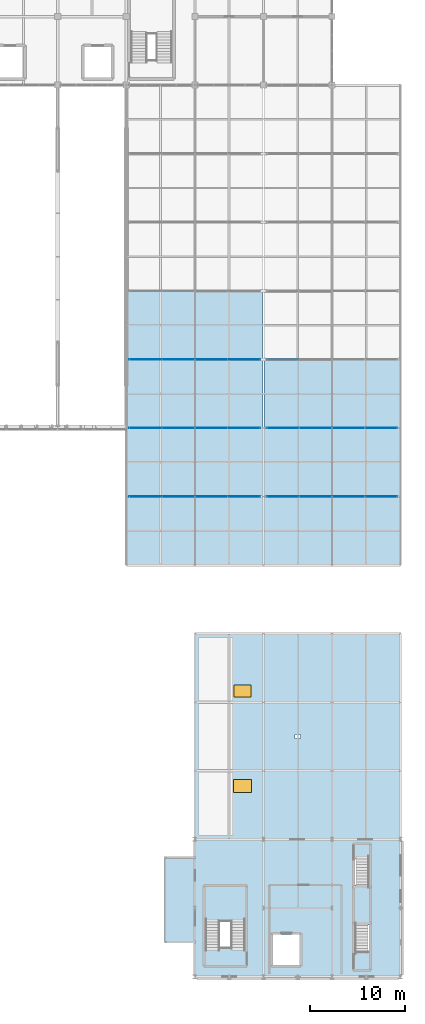
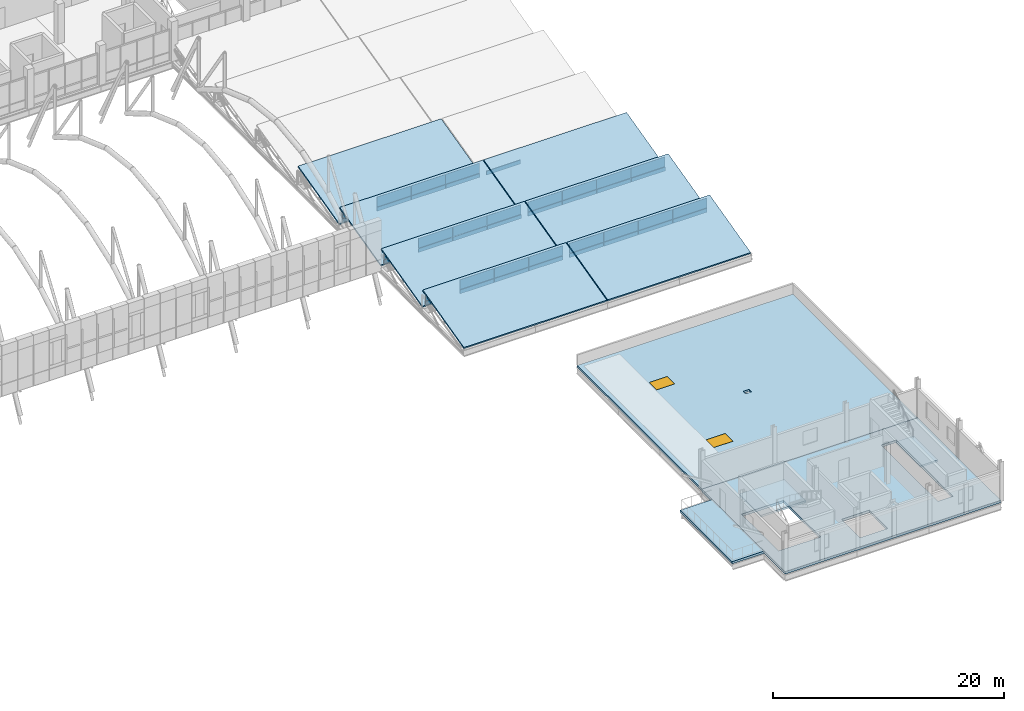
# One storey, part 94 of 144: 41 plates, 12 slabs, 2 windows, 2 openings, 9 elements without a shape of their own.
"""IFC4 building model written with IfcOpenShell, lengths in metres."""

from ifc_helpers import new_model, si_unit, direction, frame, origin, origin_2d, place, context, subcontext, project, spatial, polyline, rectangle, outline, extrude, material, layer, layer_set, type_object, element, fill, aggregate, save


model = new_model("IFC4")

# Units and contexts
model_context = context("Model", 3, precision=1e-05, world=origin(), true_north=direction((0.0, 1.0)))
body_context = subcontext(model_context, "Body", "Model", "MODEL_VIEW")
ifc_project = project(units=[si_unit("LENGTHUNIT", "METRE"), si_unit("AREAUNIT", "SQUARE_METRE"), si_unit("VOLUMEUNIT", "CUBIC_METRE"), si_unit("PLANEANGLEUNIT", "RADIAN"), si_unit("MASSUNIT", "GRAM", prefix="KILO")], contexts=[model_context])

# Site, building, storey
site_placement = place(None, origin())
site = spatial("IfcSite", under=ifc_project, at=site_placement, CompositionType="ELEMENT")
building_placement = place(site_placement, origin())
building = spatial("IfcBuilding", under=site, at=building_placement, Name="Yarey Park Central Fire Station", CompositionType="ELEMENT")
storey_placement = place(building_placement, frame((0.0, 0.0, 10.199951171875)))
storey = spatial("IfcBuildingStorey", under=building, at=storey_placement, Name="L03", CompositionType="ELEMENT", Elevation=10.199951171875)

# Curtain wall, plates
ifc_material_1 = material(Name="Anodized Aluminium Frame", Category="aluminium")
curtain_wall_type = type_object("IfcCurtainWallType", Name="ENV_CW_SAW_18", PredefinedType="NOTDEFINED", material=ifc_material_1)
curtain_wall_1_placement = place(storey_placement, origin())
curtain_wall_1 = element("IfcCurtainWall", 1, at=curtain_wall_1_placement, inside=storey, type_object=curtain_wall_type, Name="CW_L03_SAW_2_1", PredefinedType="NOTDEFINED")
ifc_material_2 = material(Name="Insulated Aluminium Spandrel Panel", Category="aluminium")
ifc_layer_1 = layer(ifc_material_2, 0.055908203125)
ifc_layer_set_1 = layer_set([ifc_layer_1], Name="Insulated Aluminium Spandrel Panel")
plate_type_1 = type_object("IfcPlateType", Name="ENV_PNL_SPN_01", PredefinedType="CURTAIN_PANEL", material=ifc_layer_set_1)
plate_1_placement = place(storey_placement, frame((149.16748046875, 57.60009765625, 0.04248046875), z_axis=(0.0, 0.0, 1.0), x_axis=(-1.0, 0.0, 0.0)))
plate_1 = element("IfcPlate", 2, at=plate_1_placement, type_object=plate_type_1, Name="CW_L03_SAW_2_1_PNL01", PredefinedType="CURTAIN_PANEL", context=body_context, shape_type="SweptSolid", body=[
    extrude(rectangle(XDim=3.405029296875, YDim=0.055908203125, at=origin_2d()), origin(), (0.0, 0.0, 1.0), 0.4140625),
])
plate_2_placement = place(storey_placement, frame((145.722412109375, 57.60009765625, 0.04248046875), z_axis=(0.0, 0.0, 1.0), x_axis=(-1.0, 0.0, 0.0)))
plate_2 = element("IfcPlate", 3, at=plate_2_placement, type_object=plate_type_1, Name="CW_L03_SAW_2_1_PNL03", PredefinedType="CURTAIN_PANEL", context=body_context, shape_type="SweptSolid", body=[
    extrude(rectangle(XDim=3.405029296875, YDim=0.055908203125, at=origin_2d()), origin(), (0.0, 0.0, 1.0), 0.4140625),
])
plate_3_placement = place(storey_placement, frame((142.277587890625, 57.60009765625, 0.04248046875), z_axis=(0.0, 0.0, 1.0), x_axis=(-1.0, 0.0, 0.0)))
plate_3 = element("IfcPlate", 4, at=plate_3_placement, type_object=plate_type_1, Name="CW_L03_SAW_2_1_PNL05", PredefinedType="CURTAIN_PANEL", context=body_context, shape_type="SweptSolid", body=[
    extrude(rectangle(XDim=3.405029296875, YDim=0.055908203125, at=origin_2d()), origin(), (0.0, 0.0, 1.0), 0.4140625),
])
plate_4_placement = place(storey_placement, frame((138.83251953125, 57.60009765625, 0.04248046875), z_axis=(0.0, 0.0, 1.0), x_axis=(-1.0, 0.0, 0.0)))
plate_4 = element("IfcPlate", 5, at=plate_4_placement, type_object=plate_type_1, Name="CW_L03_SAW_2_1_PNL07", PredefinedType="CURTAIN_PANEL", context=body_context, shape_type="SweptSolid", body=[
    extrude(rectangle(XDim=3.405029296875, YDim=0.055908203125, at=origin_2d()), origin(), (0.0, 0.0, 1.0), 0.4140625),
])

curtain_wall_2_placement = place(storey_placement, origin())
curtain_wall_2 = element("IfcCurtainWall", 6, at=curtain_wall_2_placement, inside=storey, type_object=curtain_wall_type, Name="CW_L03_SAW_2_2", PredefinedType="NOTDEFINED")
ifc_layer_2 = layer(ifc_material_2, 0.068115234375)
ifc_layer_set_2 = layer_set([ifc_layer_2], Name="Insulated Aluminium Spandrel Panel")
plate_type_2 = type_object("IfcPlateType", Name="ENV_PNL_SPN_02", PredefinedType="CURTAIN_PANEL", material=ifc_layer_set_2)
plate_5_placement = place(storey_placement, frame((163.5673828125, 57.60009765625, 0.04248046875), z_axis=(0.0, 0.0, 1.0), x_axis=(-1.0, 0.0, 0.0)))
plate_5 = element("IfcPlate", 7, at=plate_5_placement, type_object=plate_type_2, Name="CW_L03_SAW_2_2_PNL01", PredefinedType="CURTAIN_PANEL", context=body_context, shape_type="SweptSolid", body=[
    extrude(rectangle(XDim=3.405029296875, YDim=0.068115234375, at=origin_2d()), origin(), (0.0, 0.0, 1.0), 0.4140625),
])
plate_6_placement = place(storey_placement, frame((160.12255859375, 57.60009765625, 0.04248046875), z_axis=(0.0, 0.0, 1.0), x_axis=(-1.0, 0.0, 0.0)))
plate_6 = element("IfcPlate", 8, at=plate_6_placement, type_object=plate_type_2, Name="CW_L03_SAW_2_2_PNL03", PredefinedType="CURTAIN_PANEL", context=body_context, shape_type="SweptSolid", body=[
    extrude(rectangle(XDim=3.405029296875, YDim=0.068115234375, at=origin_2d()), origin(), (0.0, 0.0, 1.0), 0.4140625),
])
plate_7_placement = place(storey_placement, frame((156.677490234375, 57.60009765625, 0.04248046875), z_axis=(0.0, 0.0, 1.0), x_axis=(-1.0, 0.0, 0.0)))
plate_7 = element("IfcPlate", 9, at=plate_7_placement, type_object=plate_type_2, Name="CW_L03_SAW_2_2_PNL05", PredefinedType="CURTAIN_PANEL", context=body_context, shape_type="SweptSolid", body=[
    extrude(rectangle(XDim=3.405029296875, YDim=0.068115234375, at=origin_2d()), origin(), (0.0, 0.0, 1.0), 0.4140625),
])
plate_8_placement = place(storey_placement, frame((153.232421875, 57.60009765625, 0.04248046875), z_axis=(0.0, 0.0, 1.0), x_axis=(-1.0, 0.0, 0.0)))
plate_8 = element("IfcPlate", 10, at=plate_8_placement, type_object=plate_type_2, Name="CW_L03_SAW_2_2_PNL07", PredefinedType="CURTAIN_PANEL", context=body_context, shape_type="SweptSolid", body=[
    extrude(rectangle(XDim=3.405029296875, YDim=0.068115234375, at=origin_2d()), origin(), (0.0, 0.0, 1.0), 0.4140625),
])

curtain_wall_3_placement = place(storey_placement, origin())
curtain_wall_3 = element("IfcCurtainWall", 11, at=curtain_wall_3_placement, inside=storey, type_object=curtain_wall_type, Name="CW_L03_SAW_1_1", PredefinedType="NOTDEFINED")
ifc_layer_3 = layer(ifc_material_2, 0.077880859375)
ifc_layer_set_3 = layer_set([ifc_layer_3], Name="Insulated Aluminium Spandrel Panel")
plate_type_3 = type_object("IfcPlateType", Name="ENV_PNL_SPN_03", PredefinedType="CURTAIN_PANEL", material=ifc_layer_set_3)
plate_9_placement = place(storey_placement, frame((149.16748046875, 50.39990234375, 0.04248046875), z_axis=(0.0, 0.0, 1.0), x_axis=(-1.0, 0.0, 0.0)))
plate_9 = element("IfcPlate", 12, at=plate_9_placement, type_object=plate_type_3, Name="CW_L03_SAW_1_1_PNL01", PredefinedType="CURTAIN_PANEL", context=body_context, shape_type="SweptSolid", body=[
    extrude(rectangle(XDim=3.405029296875, YDim=0.077880859375, at=origin_2d()), origin(), (0.0, 0.0, 1.0), 0.4140625),
])
plate_10_placement = place(storey_placement, frame((145.722412109375, 50.39990234375, 0.04248046875), z_axis=(0.0, 0.0, 1.0), x_axis=(-1.0, 0.0, 0.0)))
plate_10 = element("IfcPlate", 13, at=plate_10_placement, type_object=plate_type_3, Name="CW_L03_SAW_1_1_PNL03", PredefinedType="CURTAIN_PANEL", context=body_context, shape_type="SweptSolid", body=[
    extrude(rectangle(XDim=3.405029296875, YDim=0.077880859375, at=origin_2d()), origin(), (0.0, 0.0, 1.0), 0.4140625),
])
plate_11_placement = place(storey_placement, frame((142.277587890625, 50.39990234375, 0.04248046875), z_axis=(0.0, 0.0, 1.0), x_axis=(-1.0, 0.0, 0.0)))
plate_11 = element("IfcPlate", 14, at=plate_11_placement, type_object=plate_type_3, Name="CW_L03_SAW_1_1_PNL05", PredefinedType="CURTAIN_PANEL", context=body_context, shape_type="SweptSolid", body=[
    extrude(rectangle(XDim=3.405029296875, YDim=0.077880859375, at=origin_2d()), origin(), (0.0, 0.0, 1.0), 0.4140625),
])
plate_12_placement = place(storey_placement, frame((138.83251953125, 50.39990234375, 0.04248046875), z_axis=(0.0, 0.0, 1.0), x_axis=(-1.0, 0.0, 0.0)))
plate_12 = element("IfcPlate", 15, at=plate_12_placement, type_object=plate_type_3, Name="CW_L03_SAW_1_1_PNL07", PredefinedType="CURTAIN_PANEL", context=body_context, shape_type="SweptSolid", body=[
    extrude(rectangle(XDim=3.405029296875, YDim=0.077880859375, at=origin_2d()), origin(), (0.0, 0.0, 1.0), 0.4140625),
])

curtain_wall_4_placement = place(storey_placement, origin())
curtain_wall_4 = element("IfcCurtainWall", 16, at=curtain_wall_4_placement, inside=storey, type_object=curtain_wall_type, Name="CW_L03_SAW_3_1", PredefinedType="NOTDEFINED")
plate_13_placement = place(storey_placement, frame((149.16748046875, 64.800048828125, 0.04248046875), z_axis=(0.0, 0.0, 1.0), x_axis=(-1.0, 0.0, 0.0)))
plate_13 = element("IfcPlate", 17, at=plate_13_placement, type_object=plate_type_3, Name="CW_L03_SAW_3_1_PNL01", PredefinedType="CURTAIN_PANEL", context=body_context, shape_type="SweptSolid", body=[
    extrude(rectangle(XDim=3.405029296875, YDim=0.077880859375, at=origin_2d()), origin(), (0.0, 0.0, 1.0), 0.4140625),
])
plate_14_placement = place(storey_placement, frame((145.722412109375, 64.800048828125, 0.04248046875), z_axis=(0.0, 0.0, 1.0), x_axis=(-1.0, 0.0, 0.0)))
plate_14 = element("IfcPlate", 18, at=plate_14_placement, type_object=plate_type_3, Name="CW_L03_SAW_3_1_PNL03", PredefinedType="CURTAIN_PANEL", context=body_context, shape_type="SweptSolid", body=[
    extrude(rectangle(XDim=3.405029296875, YDim=0.077880859375, at=origin_2d()), origin(), (0.0, 0.0, 1.0), 0.4140625),
])
plate_15_placement = place(storey_placement, frame((142.277587890625, 64.800048828125, 0.04248046875), z_axis=(0.0, 0.0, 1.0), x_axis=(-1.0, 0.0, 0.0)))
plate_15 = element("IfcPlate", 19, at=plate_15_placement, type_object=plate_type_3, Name="CW_L03_SAW_3_1_PNL05", PredefinedType="CURTAIN_PANEL", context=body_context, shape_type="SweptSolid", body=[
    extrude(rectangle(XDim=3.405029296875, YDim=0.077880859375, at=origin_2d()), origin(), (0.0, 0.0, 1.0), 0.4140625),
])
plate_16_placement = place(storey_placement, frame((138.83251953125, 64.800048828125, 0.04248046875), z_axis=(0.0, 0.0, 1.0), x_axis=(-1.0, 0.0, 0.0)))
plate_16 = element("IfcPlate", 20, at=plate_16_placement, type_object=plate_type_3, Name="CW_L03_SAW_3_1_PNL07", PredefinedType="CURTAIN_PANEL", context=body_context, shape_type="SweptSolid", body=[
    extrude(rectangle(XDim=3.405029296875, YDim=0.077880859375, at=origin_2d()), origin(), (0.0, 0.0, 1.0), 0.4140625),
])

curtain_wall_5_placement = place(storey_placement, origin())
curtain_wall_5 = element("IfcCurtainWall", 21, at=curtain_wall_5_placement, inside=storey, type_object=curtain_wall_type, Name="CW_L03_SAW_1_2", PredefinedType="NOTDEFINED")
ifc_layer_4 = layer(ifc_material_2, 0.087890625)
ifc_layer_set_4 = layer_set([ifc_layer_4], Name="Insulated Aluminium Spandrel Panel")
plate_type_4 = type_object("IfcPlateType", Name="ENV_PNL_SPN_04", PredefinedType="CURTAIN_PANEL", material=ifc_layer_set_4)
plate_17_placement = place(storey_placement, frame((163.5673828125, 50.39990234375, 0.04248046875), z_axis=(0.0, 0.0, 1.0), x_axis=(-1.0, 0.0, 0.0)))
plate_17 = element("IfcPlate", 22, at=plate_17_placement, type_object=plate_type_4, Name="CW_L03_SAW_1_2_PNL01", PredefinedType="CURTAIN_PANEL", context=body_context, shape_type="SweptSolid", body=[
    extrude(rectangle(XDim=3.405029296875, YDim=0.087890625, at=origin_2d()), origin(), (0.0, 0.0, 1.0), 0.4140625),
])
plate_18_placement = place(storey_placement, frame((160.12255859375, 50.39990234375, 0.04248046875), z_axis=(0.0, 0.0, 1.0), x_axis=(-1.0, 0.0, 0.0)))
plate_18 = element("IfcPlate", 23, at=plate_18_placement, type_object=plate_type_4, Name="CW_L03_SAW_1_2_PNL03", PredefinedType="CURTAIN_PANEL", context=body_context, shape_type="SweptSolid", body=[
    extrude(rectangle(XDim=3.405029296875, YDim=0.087890625, at=origin_2d()), origin(), (0.0, 0.0, 1.0), 0.4140625),
])
plate_19_placement = place(storey_placement, frame((156.677490234375, 50.39990234375, 0.04248046875), z_axis=(0.0, 0.0, 1.0), x_axis=(-1.0, 0.0, 0.0)))
plate_19 = element("IfcPlate", 24, at=plate_19_placement, type_object=plate_type_4, Name="CW_L03_SAW_1_2_PNL05", PredefinedType="CURTAIN_PANEL", context=body_context, shape_type="SweptSolid", body=[
    extrude(rectangle(XDim=3.405029296875, YDim=0.087890625, at=origin_2d()), origin(), (0.0, 0.0, 1.0), 0.4140625),
])
plate_20_placement = place(storey_placement, frame((153.232421875, 50.39990234375, 0.04248046875), z_axis=(0.0, 0.0, 1.0), x_axis=(-1.0, 0.0, 0.0)))
plate_20 = element("IfcPlate", 25, at=plate_20_placement, type_object=plate_type_4, Name="CW_L03_SAW_1_2_PNL07", PredefinedType="CURTAIN_PANEL", context=body_context, shape_type="SweptSolid", body=[
    extrude(rectangle(XDim=3.405029296875, YDim=0.087890625, at=origin_2d()), origin(), (0.0, 0.0, 1.0), 0.4140625),
])

# Curtain wall, plate
curtain_wall_6_placement = place(storey_placement, origin())
curtain_wall_6 = element("IfcCurtainWall", 26, at=curtain_wall_6_placement, inside=storey, type_object=curtain_wall_type, Name="CW_L03_SAW_3_2", PredefinedType="NOTDEFINED")
plate_21_placement = place(storey_placement, frame((153.232421875, 64.800048828125, 0.04248046875), z_axis=(0.0, 0.0, 1.0), x_axis=(-1.0, 0.0, 0.0)))
plate_21 = element("IfcPlate", 27, at=plate_21_placement, type_object=plate_type_4, Name="CW_L03_SAW_3_2_PNL07", PredefinedType="CURTAIN_PANEL", context=body_context, shape_type="SweptSolid", body=[
    extrude(rectangle(XDim=3.405029296875, YDim=0.087890625, at=origin_2d()), origin(), (0.0, 0.0, 1.0), 0.4140625),
])
aggregate(curtain_wall_6, [plate_21])

# Plate
ifc_material_3 = material(Name="Laminated Hurricane Low-E Glass", Category="glass")
ifc_layer_5 = layer(ifc_material_3, 0.02392578125)
ifc_layer_set_5 = layer_set([ifc_layer_5], Name="Laminated Hurricane Low-E Glass")
plate_type_5 = type_object("IfcPlateType", Name="ENV_PNL_VIS_01", PredefinedType="CURTAIN_PANEL", material=ifc_layer_set_5)
plate_22_placement = place(storey_placement, frame((149.16748046875, 57.60009765625, 0.49169921875), z_axis=(0.0, 0.0, 1.0), x_axis=(-1.0, 0.0, 0.0)))
plate_22 = element("IfcPlate", 28, at=plate_22_placement, type_object=plate_type_5, Name="CW_L03_SAW_2_1_PNL02", PredefinedType="CURTAIN_PANEL", context=body_context, shape_type="SweptSolid", body=[
    extrude(rectangle(XDim=3.405029296875, YDim=0.02392578125, at=origin_2d()), origin(), (0.0, 0.0, 1.0), 1.0458984375),
])

plate_23_placement = place(storey_placement, frame((145.722412109375, 57.60009765625, 0.49169921875), z_axis=(0.0, 0.0, 1.0), x_axis=(-1.0, 0.0, 0.0)))
plate_23 = element("IfcPlate", 29, at=plate_23_placement, type_object=plate_type_5, Name="CW_L03_SAW_2_1_PNL04", PredefinedType="CURTAIN_PANEL", context=body_context, shape_type="SweptSolid", body=[
    extrude(rectangle(XDim=3.405029296875, YDim=0.02392578125, at=origin_2d()), origin(), (0.0, 0.0, 1.0), 1.0458984375),
])

plate_24_placement = place(storey_placement, frame((142.277587890625, 57.60009765625, 0.49169921875), z_axis=(0.0, 0.0, 1.0), x_axis=(-1.0, 0.0, 0.0)))
plate_24 = element("IfcPlate", 30, at=plate_24_placement, type_object=plate_type_5, Name="CW_L03_SAW_2_1_PNL06", PredefinedType="CURTAIN_PANEL", context=body_context, shape_type="SweptSolid", body=[
    extrude(rectangle(XDim=3.405029296875, YDim=0.02392578125, at=origin_2d()), origin(), (0.0, 0.0, 1.0), 1.0458984375),
])

plate_25_placement = place(storey_placement, frame((138.83251953125, 57.60009765625, 0.49169921875), z_axis=(0.0, 0.0, 1.0), x_axis=(-1.0, 0.0, 0.0)))
plate_25 = element("IfcPlate", 31, at=plate_25_placement, type_object=plate_type_5, Name="CW_L03_SAW_2_1_PNL08", PredefinedType="CURTAIN_PANEL", context=body_context, shape_type="SweptSolid", body=[
    extrude(rectangle(XDim=3.405029296875, YDim=0.02392578125, at=origin_2d()), origin(), (0.0, 0.0, 1.0), 1.0458984375),
])

aggregate(curtain_wall_1, [plate_1, plate_22, plate_2, plate_23, plate_3, plate_24, plate_4, plate_25])

ifc_layer_6 = layer(ifc_material_3, 0.031982421875)
ifc_layer_set_6 = layer_set([ifc_layer_6], Name="Laminated Hurricane Low-E Glass")
plate_type_6 = type_object("IfcPlateType", Name="ENV_PNL_VIS_02", PredefinedType="CURTAIN_PANEL", material=ifc_layer_set_6)
plate_26_placement = place(storey_placement, frame((163.5673828125, 57.60009765625, 0.49169921875), z_axis=(0.0, 0.0, 1.0), x_axis=(-1.0, 0.0, 0.0)))
plate_26 = element("IfcPlate", 32, at=plate_26_placement, type_object=plate_type_6, Name="CW_L03_SAW_2_2_PNL02", PredefinedType="CURTAIN_PANEL", context=body_context, shape_type="SweptSolid", body=[
    extrude(rectangle(XDim=3.405029296875, YDim=0.031982421875, at=origin_2d()), origin(), (0.0, 0.0, 1.0), 1.0458984375),
])

plate_27_placement = place(storey_placement, frame((160.12255859375, 57.60009765625, 0.49169921875), z_axis=(0.0, 0.0, 1.0), x_axis=(-1.0, 0.0, 0.0)))
plate_27 = element("IfcPlate", 33, at=plate_27_placement, type_object=plate_type_6, Name="CW_L03_SAW_2_2_PNL04", PredefinedType="CURTAIN_PANEL", context=body_context, shape_type="SweptSolid", body=[
    extrude(rectangle(XDim=3.405029296875, YDim=0.031982421875, at=origin_2d()), origin(), (0.0, 0.0, 1.0), 1.0458984375),
])

plate_28_placement = place(storey_placement, frame((156.677490234375, 57.60009765625, 0.49169921875), z_axis=(0.0, 0.0, 1.0), x_axis=(-1.0, 0.0, 0.0)))
plate_28 = element("IfcPlate", 34, at=plate_28_placement, type_object=plate_type_6, Name="CW_L03_SAW_2_2_PNL06", PredefinedType="CURTAIN_PANEL", context=body_context, shape_type="SweptSolid", body=[
    extrude(rectangle(XDim=3.405029296875, YDim=0.031982421875, at=origin_2d()), origin(), (0.0, 0.0, 1.0), 1.0458984375),
])

plate_29_placement = place(storey_placement, frame((153.232421875, 57.60009765625, 0.49169921875), z_axis=(0.0, 0.0, 1.0), x_axis=(-1.0, 0.0, 0.0)))
plate_29 = element("IfcPlate", 35, at=plate_29_placement, type_object=plate_type_6, Name="CW_L03_SAW_2_2_PNL08", PredefinedType="CURTAIN_PANEL", context=body_context, shape_type="SweptSolid", body=[
    extrude(rectangle(XDim=3.405029296875, YDim=0.031982421875, at=origin_2d()), origin(), (0.0, 0.0, 1.0), 1.0458984375),
])

aggregate(curtain_wall_2, [plate_5, plate_26, plate_6, plate_27, plate_7, plate_28, plate_8, plate_29])

ifc_layer_7 = layer(ifc_material_3, 0.0380859375)
ifc_layer_set_7 = layer_set([ifc_layer_7], Name="Laminated Hurricane Low-E Glass")
plate_type_7 = type_object("IfcPlateType", Name="ENV_PNL_VIS_03", PredefinedType="CURTAIN_PANEL", material=ifc_layer_set_7)
plate_30_placement = place(storey_placement, frame((149.16748046875, 50.39990234375, 0.49169921875), z_axis=(0.0, 0.0, 1.0), x_axis=(-1.0, 0.0, 0.0)))
plate_30 = element("IfcPlate", 36, at=plate_30_placement, type_object=plate_type_7, Name="CW_L03_SAW_1_1_PNL02", PredefinedType="CURTAIN_PANEL", context=body_context, shape_type="SweptSolid", body=[
    extrude(rectangle(XDim=3.405029296875, YDim=0.0380859375, at=origin_2d()), origin(), (0.0, 0.0, 1.0), 1.0458984375),
])

plate_31_placement = place(storey_placement, frame((145.722412109375, 50.39990234375, 0.49169921875), z_axis=(0.0, 0.0, 1.0), x_axis=(-1.0, 0.0, 0.0)))
plate_31 = element("IfcPlate", 37, at=plate_31_placement, type_object=plate_type_7, Name="CW_L03_SAW_1_1_PNL04", PredefinedType="CURTAIN_PANEL", context=body_context, shape_type="SweptSolid", body=[
    extrude(rectangle(XDim=3.405029296875, YDim=0.0380859375, at=origin_2d()), origin(), (0.0, 0.0, 1.0), 1.0458984375),
])

plate_32_placement = place(storey_placement, frame((142.277587890625, 50.39990234375, 0.49169921875), z_axis=(0.0, 0.0, 1.0), x_axis=(-1.0, 0.0, 0.0)))
plate_32 = element("IfcPlate", 38, at=plate_32_placement, type_object=plate_type_7, Name="CW_L03_SAW_1_1_PNL06", PredefinedType="CURTAIN_PANEL", context=body_context, shape_type="SweptSolid", body=[
    extrude(rectangle(XDim=3.405029296875, YDim=0.0380859375, at=origin_2d()), origin(), (0.0, 0.0, 1.0), 1.0458984375),
])

plate_33_placement = place(storey_placement, frame((138.83251953125, 50.39990234375, 0.49169921875), z_axis=(0.0, 0.0, 1.0), x_axis=(-1.0, 0.0, 0.0)))
plate_33 = element("IfcPlate", 39, at=plate_33_placement, type_object=plate_type_7, Name="CW_L03_SAW_1_1_PNL08", PredefinedType="CURTAIN_PANEL", context=body_context, shape_type="SweptSolid", body=[
    extrude(rectangle(XDim=3.405029296875, YDim=0.0380859375, at=origin_2d()), origin(), (0.0, 0.0, 1.0), 1.0458984375),
])

aggregate(curtain_wall_3, [plate_9, plate_30, plate_10, plate_31, plate_11, plate_32, plate_12, plate_33])

plate_34_placement = place(storey_placement, frame((149.16748046875, 64.800048828125, 0.49169921875), z_axis=(0.0, 0.0, 1.0), x_axis=(-1.0, 0.0, 0.0)))
plate_34 = element("IfcPlate", 40, at=plate_34_placement, type_object=plate_type_7, Name="CW_L03_SAW_3_1_PNL02", PredefinedType="CURTAIN_PANEL", context=body_context, shape_type="SweptSolid", body=[
    extrude(rectangle(XDim=3.405029296875, YDim=0.0380859375, at=origin_2d()), origin(), (0.0, 0.0, 1.0), 1.0458984375),
])

plate_35_placement = place(storey_placement, frame((145.722412109375, 64.800048828125, 0.49169921875), z_axis=(0.0, 0.0, 1.0), x_axis=(-1.0, 0.0, 0.0)))
plate_35 = element("IfcPlate", 41, at=plate_35_placement, type_object=plate_type_7, Name="CW_L03_SAW_3_1_PNL04", PredefinedType="CURTAIN_PANEL", context=body_context, shape_type="SweptSolid", body=[
    extrude(rectangle(XDim=3.405029296875, YDim=0.0380859375, at=origin_2d()), origin(), (0.0, 0.0, 1.0), 1.0458984375),
])

plate_36_placement = place(storey_placement, frame((142.277587890625, 64.800048828125, 0.49169921875), z_axis=(0.0, 0.0, 1.0), x_axis=(-1.0, 0.0, 0.0)))
plate_36 = element("IfcPlate", 42, at=plate_36_placement, type_object=plate_type_7, Name="CW_L03_SAW_3_1_PNL06", PredefinedType="CURTAIN_PANEL", context=body_context, shape_type="SweptSolid", body=[
    extrude(rectangle(XDim=3.405029296875, YDim=0.0380859375, at=origin_2d()), origin(), (0.0, 0.0, 1.0), 1.0458984375),
])

plate_37_placement = place(storey_placement, frame((138.83251953125, 64.800048828125, 0.49169921875), z_axis=(0.0, 0.0, 1.0), x_axis=(-1.0, 0.0, 0.0)))
plate_37 = element("IfcPlate", 43, at=plate_37_placement, type_object=plate_type_7, Name="CW_L03_SAW_3_1_PNL08", PredefinedType="CURTAIN_PANEL", context=body_context, shape_type="SweptSolid", body=[
    extrude(rectangle(XDim=3.405029296875, YDim=0.0380859375, at=origin_2d()), origin(), (0.0, 0.0, 1.0), 1.0458984375),
])

aggregate(curtain_wall_4, [plate_13, plate_34, plate_14, plate_35, plate_15, plate_36, plate_16, plate_37])

ifc_layer_8 = layer(ifc_material_3, 0.0458984375)
ifc_layer_set_8 = layer_set([ifc_layer_8], Name="Laminated Hurricane Low-E Glass")
plate_type_8 = type_object("IfcPlateType", Name="ENV_PNL_VIS_04", PredefinedType="CURTAIN_PANEL", material=ifc_layer_set_8)
plate_38_placement = place(storey_placement, frame((163.5673828125, 50.39990234375, 0.49169921875), z_axis=(0.0, 0.0, 1.0), x_axis=(-1.0, 0.0, 0.0)))
plate_38 = element("IfcPlate", 44, at=plate_38_placement, type_object=plate_type_8, Name="CW_L03_SAW_1_2_PNL02", PredefinedType="CURTAIN_PANEL", context=body_context, shape_type="SweptSolid", body=[
    extrude(rectangle(XDim=3.405029296875, YDim=0.0458984375, at=origin_2d()), origin(), (0.0, 0.0, 1.0), 1.0458984375),
])

plate_39_placement = place(storey_placement, frame((160.12255859375, 50.39990234375, 0.49169921875), z_axis=(0.0, 0.0, 1.0), x_axis=(-1.0, 0.0, 0.0)))
plate_39 = element("IfcPlate", 45, at=plate_39_placement, type_object=plate_type_8, Name="CW_L03_SAW_1_2_PNL04", PredefinedType="CURTAIN_PANEL", context=body_context, shape_type="SweptSolid", body=[
    extrude(rectangle(XDim=3.405029296875, YDim=0.0458984375, at=origin_2d()), origin(), (0.0, 0.0, 1.0), 1.0458984375),
])

plate_40_placement = place(storey_placement, frame((156.677490234375, 50.39990234375, 0.49169921875), z_axis=(0.0, 0.0, 1.0), x_axis=(-1.0, 0.0, 0.0)))
plate_40 = element("IfcPlate", 46, at=plate_40_placement, type_object=plate_type_8, Name="CW_L03_SAW_1_2_PNL06", PredefinedType="CURTAIN_PANEL", context=body_context, shape_type="SweptSolid", body=[
    extrude(rectangle(XDim=3.405029296875, YDim=0.0458984375, at=origin_2d()), origin(), (0.0, 0.0, 1.0), 1.0458984375),
])

plate_41_placement = place(storey_placement, frame((153.232421875, 50.39990234375, 0.49169921875), z_axis=(0.0, 0.0, 1.0), x_axis=(-1.0, 0.0, 0.0)))
plate_41 = element("IfcPlate", 47, at=plate_41_placement, type_object=plate_type_8, Name="CW_L03_SAW_1_2_PNL08", PredefinedType="CURTAIN_PANEL", context=body_context, shape_type="SweptSolid", body=[
    extrude(rectangle(XDim=3.405029296875, YDim=0.0458984375, at=origin_2d()), origin(), (0.0, 0.0, 1.0), 1.0458984375),
])

aggregate(curtain_wall_5, [plate_17, plate_38, plate_18, plate_39, plate_19, plate_40, plate_20, plate_41])

# Stair, slab
ifc_material_4 = material(Name="Concrete C40/50", Category="concrete")
stair_type_1 = type_object("IfcStairType", Name="INT_ST_1RUN_130_H42", PredefinedType="STRAIGHT_RUN_STAIR", material=ifc_material_4)
stair_1_placement = place(storey_placement, origin())
stair_1 = element("IfcStair", 48, at=stair_1_placement, inside=storey, type_object=stair_type_1, Name="Exit Stair ST-6 L03", PredefinedType="STRAIGHT_RUN_STAIR")
ifc_layer_9 = layer(ifc_material_4, 0.18505859375)
ifc_layer_set_9 = layer_set([ifc_layer_9], Name="Concrete C40/50")
slab_type_1 = type_object("IfcSlabType", Name="INT_SLAB_LND185", PredefinedType="LANDING", material=ifc_layer_set_9)
slab_1_placement = place(storey_placement, frame((0.0, 0.0, 1.9150390625)))
slab_1 = element("IfcSlab", 49, at=slab_1_placement, type_object=slab_type_1, Name="STAIR_C6_L03_LND", PredefinedType="LANDING", context=body_context, shape_type="SweptSolid", body=[
    extrude(outline(polyline([(160.64990234375, 5.39990234375), (162.449951171875, 5.39990234375), (162.449951171875, 9.60009765625), (160.64990234375, 9.60009765625), (160.64990234375, 5.39990234375)])), origin(), (0.0, 0.0, 1.0), 0.18505859375),
])
aggregate(stair_1, [slab_1])

stair_type_2 = type_object("IfcStairType", Name="INT_ST_2RUN_130_H42", PredefinedType="USERDEFINED", material=ifc_material_4)
stair_2_placement = place(storey_placement, origin())
stair_2 = element("IfcStair", 50, at=stair_2_placement, inside=storey, type_object=stair_type_2, Name="Exit Stair ST-5 L03", ObjectType="TWO_RUN_STAIR", PredefinedType="USERDEFINED")
ifc_layer_10 = layer(ifc_material_4, 0.205078125)
ifc_layer_set_10 = layer_set([ifc_layer_10], Name="Concrete C40/50")
slab_type_2 = type_object("IfcSlabType", Name="INT_SLAB_LND205", PredefinedType="LANDING", material=ifc_layer_set_10)
slab_2_placement = place(storey_placement, frame((0.0, 0.0, 1.89501953125)))
slab_2 = element("IfcSlab", 51, at=slab_2_placement, type_object=slab_type_2, Name="STAIR_C5_L03_LND", PredefinedType="LANDING", context=body_context, shape_type="SweptSolid", body=[
    extrude(outline(polyline([(144.949951171875, 5.800048828125), (149.449951171875, 5.800048828125), (149.449951171875, 9.550048828125), (144.949951171875, 9.550048828125), (144.949951171875, 5.800048828125)])), origin(), (0.0, 0.0, 1.0), 0.205078125),
])
aggregate(stair_2, [slab_2])

# Slab, openings, windows
ifc_layer_11 = layer(ifc_material_4, 0.2099609375)
ifc_layer_set_11 = layer_set([ifc_layer_11], Name="Concrete C40/50")
slab_type_3 = type_object("IfcSlabType", Name="STR_ROOF_FLAT210", PredefinedType="ROOF", material=ifc_layer_set_11)
slab_3_placement = place(storey_placement, frame((0.0, 0.0, -0.2099609375)))
slab_3 = element("IfcSlab", 52, at=slab_3_placement, inside=storey, type_object=slab_type_3, Name="ROOF_L03_V6_SMOKE", PredefinedType="ROOF", context=body_context, shape_type="SweptSolid", body=[
    extrude(outline(polyline([(144.0, 14.39990234375), (165.60009765625, 14.39990234375), (165.60009765625, 36.0), (144.0, 36.0), (144.0, 14.39990234375)]), holes=[polyline([(154.5, 25.0), (155.10009765625, 25.0), (155.10009765625, 25.39990234375), (154.5, 25.39990234375), (154.5, 25.0)])]), origin(), (0.0, 0.0, 1.0), 0.2099609375),
])
opening_1_placement = place(slab_3_placement, frame((149.0, 20.0, -0.010009765625)))
opening_1 = element("IfcOpeningElement", 53, at=opening_1_placement, cuts=slab_3, Name="Opening SK-05", PredefinedType="OPENING", context=body_context, shape_type="SweptSolid", body=[
    extrude(rectangle(XDim=1.919921875, YDim=1.340087890625, at=origin_2d()), origin(), (0.0, 0.0, 1.0), 0.22998046875),
])
opening_2_placement = place(slab_3_placement, frame((149.0, 30.0, -0.010009765625)))
opening_2 = element("IfcOpeningElement", 54, at=opening_2_placement, cuts=slab_3, Name="Opening SK-06", PredefinedType="OPENING", context=body_context, shape_type="SweptSolid", body=[
    extrude(rectangle(XDim=1.800048828125, YDim=1.280029296875, at=origin_2d()), origin(), (0.0, 0.0, 1.0), 0.22998046875),
])
window_type_1 = type_object("IfcWindowType", Name="ENV_SKY_05", PartitioningType="SINGLE_PANEL", PredefinedType="SKYLIGHT", material=ifc_material_3)
window_1_placement = place(slab_3_placement, frame((149.0, 20.0, 0.159912109375)))
window_1 = element("IfcWindow", 55, at=window_1_placement, inside=storey, type_object=window_type_1, Name="SKY_L03_SMK_1", OverallHeight=1.340087890625, OverallWidth=1.919921875, PartitioningType="SINGLE_PANEL", PredefinedType="SKYLIGHT", context=body_context, shape_type="SweptSolid", body=[
    extrude(rectangle(XDim=1.919921875, YDim=1.340087890625, at=origin_2d()), origin(), (0.0, 0.0, 1.0), 0.050048828125),
])
fill(opening_1, window_1)
window_type_2 = type_object("IfcWindowType", Name="ENV_SKY_06", PartitioningType="SINGLE_PANEL", PredefinedType="SKYLIGHT", material=ifc_material_3)
window_2_placement = place(slab_3_placement, frame((149.0, 30.0, 0.159912109375)))
window_2 = element("IfcWindow", 56, at=window_2_placement, inside=storey, type_object=window_type_2, Name="SKY_L03_SMK_2", OverallHeight=1.280029296875, OverallWidth=1.800048828125, PartitioningType="SINGLE_PANEL", PredefinedType="SKYLIGHT", context=body_context, shape_type="SweptSolid", body=[
    extrude(rectangle(XDim=1.800048828125, YDim=1.280029296875, at=origin_2d()), origin(), (0.0, 0.0, 1.0), 0.050048828125),
])
fill(opening_2, window_2)

# Roof, slabs
ifc_material_5 = material(Name="Steel ASTM A500 Gr. C", Category="steel")
roof_type = type_object("IfcRoofType", Name="ARCH_ROOF_SAW", PredefinedType="SHED_ROOF", material=ifc_material_5)
roof_placement = place(storey_placement, origin())
roof = element("IfcRoof", 57, at=roof_placement, inside=storey, type_object=roof_type, Name="ROOF_CONTAINER_V5_SAW", PredefinedType="SHED_ROOF")
ifc_layer_12 = layer(ifc_material_4, 0.1650390625)
ifc_layer_set_12 = layer_set([ifc_layer_12], Name="Concrete C40/50")
slab_type_4 = type_object("IfcSlabType", Name="STR_ROOF_SAW165", PredefinedType="ROOF", material=ifc_layer_set_12)
slab_4_placement = place(storey_placement, frame((136.85009765625, 43.239990234375, 0.0), z_axis=(0.0, -0.241909307555, 0.970298864741), x_axis=(1.0, 0.0, 0.0)))
slab_4 = element("IfcSlab", 58, at=slab_4_placement, type_object=slab_type_4, Name="ROOF_L03_V5_SAW_1_1", PredefinedType="ROOF", context=body_context, shape_type="SweptSolid", body=[
    extrude(outline(polyline([(0.0, 0.0), (14.309814453125, 0.0), (14.309814453125, 7.338066080700134), (0.0, 7.338066080700134), (0.0, 0.0)])), origin(), (0.0, 0.0, -1.0), 0.1650390625),
])
slab_5_placement = place(storey_placement, frame((151.239990234375, 43.239990234375, 0.0), z_axis=(0.0, -0.241909307555, 0.970298864741), x_axis=(1.0, 0.0, 0.0)))
slab_5 = element("IfcSlab", 59, at=slab_5_placement, type_object=slab_type_4, Name="ROOF_L03_V5_SAW_1_2", PredefinedType="ROOF", context=body_context, shape_type="SweptSolid", body=[
    extrude(outline(polyline([(0.0, 0.0), (14.31005859375, 0.0), (14.31005859375, 7.338066080700134), (0.0, 7.338066080700134), (0.0, 0.0)])), origin(), (0.0, 0.0, -1.0), 0.1650390625),
])
slab_6_placement = place(storey_placement, frame((136.85009765625, 50.43994140625, 0.0), z_axis=(0.0, -0.241909307555, 0.970298864741), x_axis=(1.0, 0.0, 0.0)))
slab_6 = element("IfcSlab", 60, at=slab_6_placement, type_object=slab_type_4, Name="ROOF_L03_V5_SAW_2_1", PredefinedType="ROOF", context=body_context, shape_type="SweptSolid", body=[
    extrude(outline(polyline([(0.0, 0.0), (14.309814453125, 0.0), (14.309814453125, 7.338066080700134), (0.0, 7.338066080700134), (0.0, 0.0)])), origin(), (0.0, 0.0, -1.0), 0.1650390625),
])
slab_7_placement = place(storey_placement, frame((151.239990234375, 50.43994140625, 0.0), z_axis=(0.0, -0.241909307555, 0.970298864741), x_axis=(1.0, 0.0, 0.0)))
slab_7 = element("IfcSlab", 61, at=slab_7_placement, type_object=slab_type_4, Name="ROOF_L03_V5_SAW_2_2", PredefinedType="ROOF", context=body_context, shape_type="SweptSolid", body=[
    extrude(outline(polyline([(0.0, 0.0), (14.31005859375, 0.0), (14.31005859375, 7.338066080700134), (0.0, 7.338066080700134), (0.0, 0.0)])), origin(), (0.0, 0.0, -1.0), 0.1650390625),
])
slab_8_placement = place(storey_placement, frame((136.85009765625, 57.639892578125, 0.0), z_axis=(0.0, -0.241909307555, 0.970298864741), x_axis=(1.0, 0.0, 0.0)))
slab_8 = element("IfcSlab", 62, at=slab_8_placement, type_object=slab_type_4, Name="ROOF_L03_V5_SAW_3_1", PredefinedType="ROOF", context=body_context, shape_type="SweptSolid", body=[
    extrude(outline(polyline([(0.0, 0.0), (14.309814453125, 0.0), (14.309814453125, 7.338066080700134), (0.0, 7.338066080700134), (0.0, 0.0)])), origin(), (0.0, 0.0, -1.0), 0.1650390625),
])
slab_9_placement = place(storey_placement, frame((151.239990234375, 57.639892578125, 0.0), z_axis=(0.0, -0.241909307555, 0.970298864741), x_axis=(1.0, 0.0, 0.0)))
slab_9 = element("IfcSlab", 63, at=slab_9_placement, type_object=slab_type_4, Name="ROOF_L03_V5_SAW_3_2", PredefinedType="ROOF", context=body_context, shape_type="SweptSolid", body=[
    extrude(outline(polyline([(0.0, 0.0), (14.31005859375, 0.0), (14.31005859375, 7.338066080700134), (0.0, 7.338066080700134), (0.0, 0.0)])), origin(), (0.0, 0.0, -1.0), 0.1650390625),
])
slab_10_placement = place(storey_placement, frame((136.85009765625, 64.840087890625, 0.0), z_axis=(0.0, -0.241917117179, 0.970296917658), x_axis=(1.0, 0.0, 0.0)))
slab_10 = element("IfcSlab", 64, at=slab_10_placement, type_object=slab_type_4, Name="ROOF_L03_V5_SAW_4_1", PredefinedType="ROOF", context=body_context, shape_type="SweptSolid", body=[
    extrude(outline(polyline([(0.0, 0.0), (14.309814453125, 0.0), (14.309814453125, 7.337829191566536), (0.0, 7.337829191566536), (0.0, 0.0)])), origin(), (0.0, 0.0, -1.0), 0.1650390625),
])
aggregate(roof, [slab_4, slab_5, slab_6, slab_7, slab_8, slab_9, slab_10])

# Slabs
ifc_layer_13 = layer(ifc_material_4, 0.260009765625)
ifc_layer_set_13 = layer_set([ifc_layer_13], Name="Concrete C40/50")
slab_type_5 = type_object("IfcSlabType", Name="STR_SLAB_F260", PredefinedType="FLOOR", material=ifc_layer_set_13)
slab_11_placement = place(storey_placement, frame((0.0, 0.0, -0.260009765625)))
element("IfcSlab", 65, at=slab_11_placement, inside=storey, type_object=slab_type_5, Name="SLAB_L03_V6_TOWER", PredefinedType="FLOOR", context=body_context, shape_type="SweptSolid", body=[
    extrude(outline(polyline([(144.0, 0.0), (165.60009765625, 0.0), (165.60009765625, 14.39990234375), (144.0, 14.39990234375), (144.0, 0.0)]), holes=[polyline([(145.10009765625, 3.0), (149.300048828125, 3.0), (149.300048828125, 9.39990234375), (145.10009765625, 9.39990234375), (145.10009765625, 3.0)]), polyline([(152.199951171875, 1.199951171875), (155.0, 1.199951171875), (155.0, 4.39990234375), (152.199951171875, 4.39990234375), (152.199951171875, 1.199951171875)]), polyline([(160.800048828125, 2.60009765625), (162.300048828125, 2.60009765625), (162.300048828125, 12.39990234375), (160.800048828125, 12.39990234375), (160.800048828125, 2.60009765625)])]), origin(), (0.0, 0.0, 1.0), 0.260009765625),
])
ifc_layer_14 = layer(ifc_material_4, 0.235107421875)
ifc_layer_set_14 = layer_set([ifc_layer_14], Name="Concrete C40/50")
slab_type_6 = type_object("IfcSlabType", Name="STR_SLAB_TER235", PredefinedType="FLOOR", material=ifc_layer_set_14)
slab_12_placement = place(storey_placement, frame((0.0, 0.0, -0.23486328125)))
element("IfcSlab", 66, at=slab_12_placement, inside=storey, type_object=slab_type_6, Name="SLAB_L03_V6_BALC", PredefinedType="FLOOR", context=body_context, shape_type="SweptSolid", body=[
    extrude(outline(polyline([(140.800048828125, 3.60009765625), (144.0, 3.60009765625), (144.0, 12.60009765625), (140.800048828125, 12.60009765625), (140.800048828125, 3.60009765625)])), origin(), (0.0, 0.0, 1.0), 0.23486328125),
])

save(model, "model.ifc")
